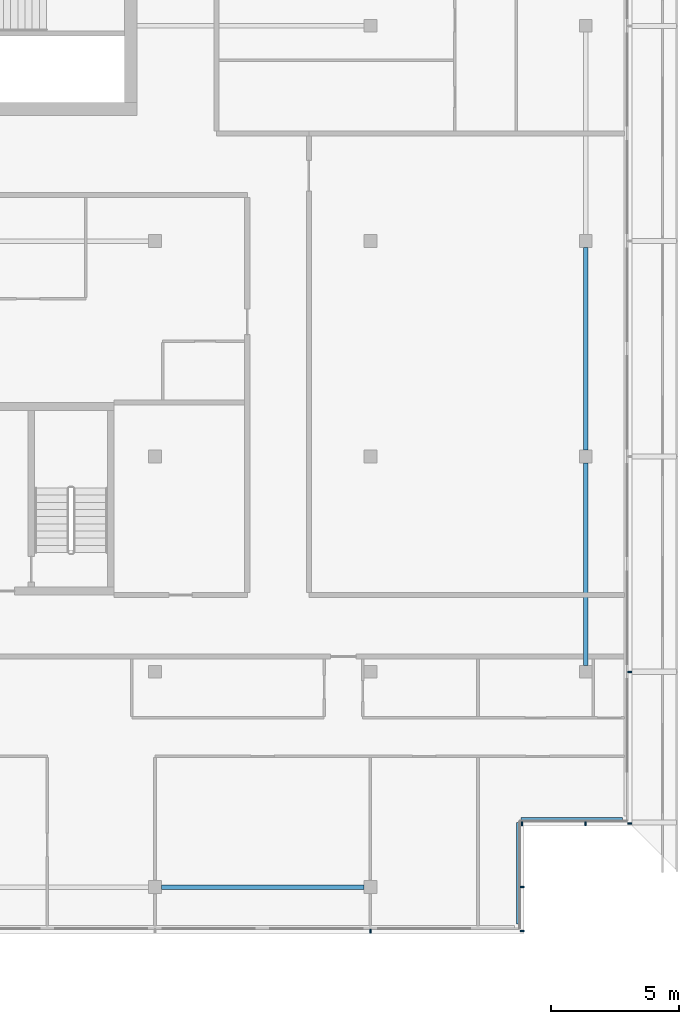
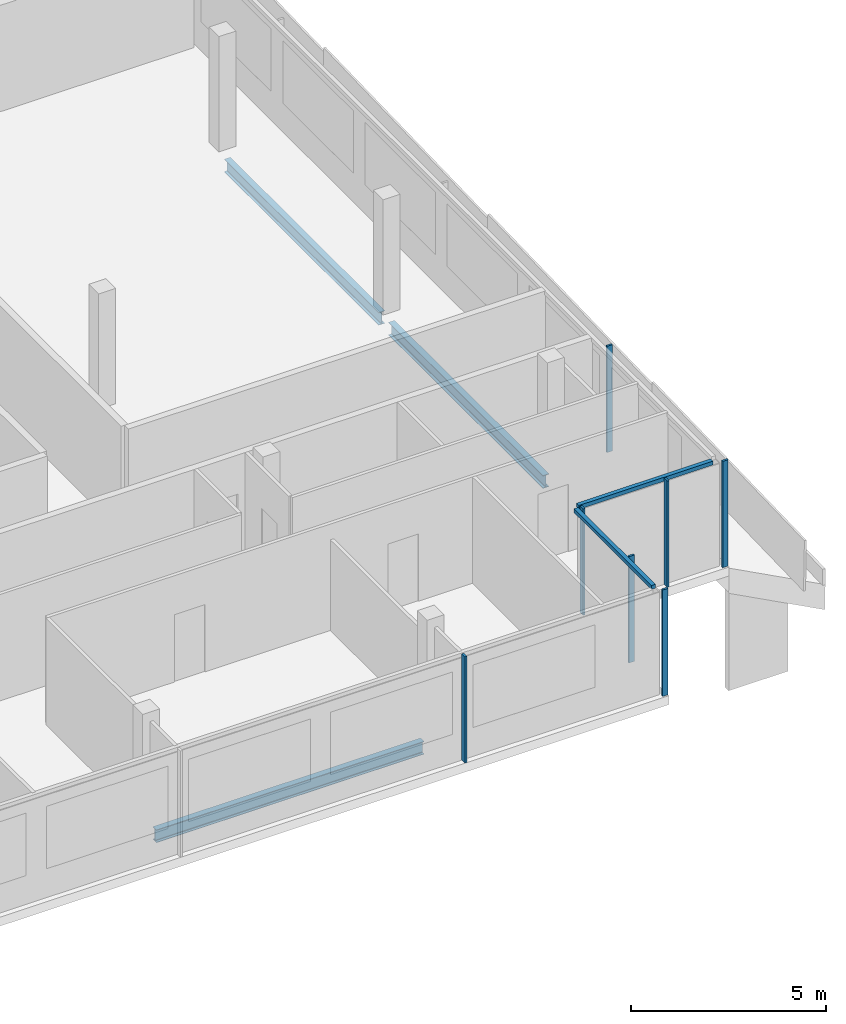
# One storey, part 10 of 27: 9 members, 3 beams, 4 elements without a shape of their own.
"""IFC4 building model written with IfcOpenShell, lengths in metres."""

from ifc_helpers import new_model, si_unit, direction, frame, origin, origin_2d, place, context, subcontext, project, spatial, rectangle, i_section, extrude, material, material_profile, profile_set, type_object, element, aggregate, save


model = new_model("IFC4")

# Units and contexts
model_context = context("Model", 3, precision=1e-05, world=origin(), true_north=direction((0.0, 1.0)))
body_context = subcontext(model_context, "Body", "Model", "MODEL_VIEW")
ifc_project = project(units=[si_unit("LENGTHUNIT", "METRE"), si_unit("AREAUNIT", "SQUARE_METRE"), si_unit("VOLUMEUNIT", "CUBIC_METRE"), si_unit("PLANEANGLEUNIT", "RADIAN"), si_unit("MASSUNIT", "GRAM", prefix="KILO")], contexts=[model_context])

# Site, building, storey
site_placement = place(None, origin())
site = spatial("IfcSite", under=ifc_project, at=site_placement, CompositionType="ELEMENT")
building_placement = place(site_placement, origin())
building = spatial("IfcBuilding", under=site, at=building_placement, Name="Saffron Gate Tower", CompositionType="ELEMENT")
storey_placement = place(building_placement, frame((0.0, 0.0, 267.14990234375)))
storey = spatial("IfcBuildingStorey", under=building, at=storey_placement, Name="L64", CompositionType="ELEMENT", Elevation=267.14990234375)

# Beams
ifc_material_1 = material(Name="Structural steel S355", Category="steel")
ifc_material_profile_1 = material_profile(ifc_material_1, i_section(OverallWidth=0.179931640625, OverallDepth=0.39990234375, WebThickness=0.008544921875, FlangeThickness=0.013427734375, FilletRadius=0.02099609375, at=origin_2d()))
ifc_profile_set_1 = profile_set([ifc_material_profile_1], Name="Structural steel S355")
beam_type = type_object("IfcBeamType", Name="B5 IPE 400", PredefinedType="SPANDREL", material=ifc_profile_set_1)
beam_1_placement = place(storey_placement, frame((108.85009765625, 31.800048828125, -0.47998046875), z_axis=(1.0, 0.0, 0.0), x_axis=(0.0, 1.0, 0.0)))
element("IfcBeam", 1, at=beam_1_placement, inside=storey, type_object=beam_type, Name="B5 SPANDREL BEAM", PredefinedType="SPANDREL", context=body_context, shape_type="SweptSolid", body=[
    extrude(i_section(OverallWidth=0.179931640625, OverallDepth=0.39990234375, WebThickness=0.008544921875, FlangeThickness=0.013427734375, FilletRadius=0.02099609375, at=origin_2d()), origin(), (0.0, 0.0, 1.0), 7.89990234375),
])
beam_2_placement = place(storey_placement, frame((125.39990234375, 40.449951171875, -0.47998046875), z_axis=(0.0, 1.0, 0.0), x_axis=(-1.0, 0.0, 0.0)))
element("IfcBeam", 2, at=beam_2_placement, inside=storey, type_object=beam_type, Name="B5 SPANDREL BEAM", PredefinedType="SPANDREL", context=body_context, shape_type="SweptSolid", body=[
    extrude(i_section(OverallWidth=0.179931640625, OverallDepth=0.39990234375, WebThickness=0.008544921875, FlangeThickness=0.013427734375, FilletRadius=0.02099609375, at=origin_2d()), origin(), (0.0, 0.0, 1.0), 7.900146484375),
])
beam_3_placement = place(storey_placement, frame((125.39990234375, 48.85009765625, -0.47998046875), z_axis=(0.0, 1.0, 0.0), x_axis=(-1.0, 0.0, 0.0)))
element("IfcBeam", 3, at=beam_3_placement, inside=storey, type_object=beam_type, Name="B5 SPANDREL BEAM", PredefinedType="SPANDREL", context=body_context, shape_type="SweptSolid", body=[
    extrude(i_section(OverallWidth=0.179931640625, OverallDepth=0.39990234375, WebThickness=0.008544921875, FlangeThickness=0.013427734375, FilletRadius=0.02099609375, at=origin_2d()), origin(), (0.0, 0.0, 1.0), 7.89990234375),
])

# Curtain wall, member
ifc_material_2 = material(Name="Aluminium, bronze anodised", Category="aluminium")
curtain_wall_type_1 = type_object("IfcCurtainWallType", Name="CWS1 curtain wall front facade", PredefinedType="NOTDEFINED", material=ifc_material_2)
curtain_wall_1_placement = place(storey_placement, origin())
curtain_wall_1 = element("IfcCurtainWall", 4, at=curtain_wall_1_placement, inside=storey, type_object=curtain_wall_type_1, Name="CWS1 run 1", PredefinedType="NOTDEFINED")
ifc_material_profile_2 = material_profile(ifc_material_2, rectangle(XDim=0.159912109375, YDim=0.06005859375, at=origin_2d()))
ifc_profile_set_2 = profile_set([ifc_material_profile_2], Name="Aluminium, bronze anodised")
member_type_1 = type_object("IfcMemberType", Name="CWS1 mullion 60x160", PredefinedType="MULLION", material=ifc_profile_set_2)
member_1_placement = place(storey_placement, frame((117.0, 30.080078125, 0.0), z_axis=(0.0, 0.0, 1.0), x_axis=(0.0, 1.0, 0.0)))
member_1 = element("IfcMember", 5, at=member_1_placement, type_object=member_type_1, Name="CWS1 mullion 9", PredefinedType="MULLION", context=body_context, shape_type="SweptSolid", body=[
    extrude(rectangle(XDim=0.159912109375, YDim=0.06005859375, at=origin_2d()), origin(), (0.0, 0.0, 1.0), 3.320068359375),
])
aggregate(curtain_wall_1, [member_1])

# Curtain wall, members
curtain_wall_type_2 = type_object("IfcCurtainWallType", Name="CWS2 curtain wall side facades", PredefinedType="NOTDEFINED", material=ifc_material_2)
curtain_wall_2_placement = place(storey_placement, origin())
curtain_wall_2 = element("IfcCurtainWall", 6, at=curtain_wall_2_placement, inside=storey, type_object=curtain_wall_type_2, Name="CWS2 run 4", PredefinedType="NOTDEFINED")
ifc_material_profile_3 = material_profile(ifc_material_2, rectangle(XDim=0.159912109375, YDim=0.06005859375, at=origin_2d()))
ifc_profile_set_3 = profile_set([ifc_material_profile_3], Name="Aluminium, bronze anodised")
member_type_2 = type_object("IfcMemberType", Name="CWS2 mullion 60x160", PredefinedType="MULLION", material=ifc_profile_set_3)
member_2_placement = place(storey_placement, frame((127.1201171875, 34.280029296875, 0.0), z_axis=(0.0, 0.0, 1.0), x_axis=(-1.0, 0.0, 0.0)))
member_2 = element("IfcMember", 7, at=member_2_placement, type_object=member_type_2, Name="CWS2 mullion 1", PredefinedType="MULLION", context=body_context, shape_type="SweptSolid", body=[
    extrude(rectangle(XDim=0.159912109375, YDim=0.06005859375, at=origin_2d()), origin(), (0.0, 0.0, 1.0), 3.320068359375),
])
member_3_placement = place(storey_placement, frame((127.1201171875, 40.199951171875, 0.0), z_axis=(0.0, 0.0, 1.0), x_axis=(-1.0, 0.0, 0.0)))
member_3 = element("IfcMember", 8, at=member_3_placement, type_object=member_type_2, Name="CWS2 mullion 2", PredefinedType="MULLION", context=body_context, shape_type="SweptSolid", body=[
    extrude(rectangle(XDim=0.159912109375, YDim=0.06005859375, at=origin_2d()), origin(), (0.0, 0.0, 1.0), 3.320068359375),
])
aggregate(curtain_wall_2, [member_2, member_3])

# Curtain wall, member
curtain_wall_type_3 = type_object("IfcCurtainWallType", Name="CWS4 curtain wall corner returns", PredefinedType="NOTDEFINED", material=ifc_material_2)
curtain_wall_3_placement = place(storey_placement, origin())
curtain_wall_3 = element("IfcCurtainWall", 9, at=curtain_wall_3_placement, inside=storey, type_object=curtain_wall_type_3, Name="CWS4 run 2", PredefinedType="NOTDEFINED")
ifc_material_profile_4 = material_profile(ifc_material_2, rectangle(XDim=0.1201171875, YDim=0.1201171875, at=origin_2d()))
ifc_profile_set_4 = profile_set([ifc_material_profile_4], Name="Aluminium, bronze anodised")
member_type_3 = type_object("IfcMemberType", Name="CWS4 head transom", PredefinedType="USERDEFINED", material=ifc_profile_set_4)
member_4_placement = place(storey_placement, frame((122.751953125, 30.367919921875, 3.260009765625), z_axis=(0.0, 1.0, 0.0), x_axis=(-1.0, 0.0, 0.0)))
member_4 = element("IfcMember", 10, at=member_4_placement, type_object=member_type_3, Name="CWS4 head transom", ObjectType="TRANSOM", PredefinedType="USERDEFINED", context=body_context, shape_type="SweptSolid", body=[
    extrude(rectangle(XDim=0.1201171875, YDim=0.1201171875, at=origin_2d()), origin(), (0.0, 0.0, 1.0), 3.9599609375),
])

curtain_wall_4_placement = place(storey_placement, origin())
curtain_wall_4 = element("IfcCurtainWall", 11, at=curtain_wall_4_placement, inside=storey, type_object=curtain_wall_type_3, Name="CWS4 run 3", PredefinedType="NOTDEFINED")
member_5_placement = place(storey_placement, frame((122.8720703125, 34.447998046875, 3.260009765625), z_axis=(1.0, 0.0, 0.0), x_axis=(0.0, 1.0, 0.0)))
member_5 = element("IfcMember", 12, at=member_5_placement, type_object=member_type_3, Name="CWS4 head transom", ObjectType="TRANSOM", PredefinedType="USERDEFINED", context=body_context, shape_type="SweptSolid", body=[
    extrude(rectangle(XDim=0.1201171875, YDim=0.1201171875, at=origin_2d()), origin(), (0.0, 0.0, 1.0), 3.9599609375),
])

# Member
ifc_material_profile_5 = material_profile(ifc_material_2, rectangle(XDim=0.159912109375, YDim=0.06005859375, at=origin_2d()))
ifc_profile_set_5 = profile_set([ifc_material_profile_5], Name="Aluminium, bronze anodised")
member_type_4 = type_object("IfcMemberType", Name="CWS4 mullion 60x160", PredefinedType="MULLION", material=ifc_profile_set_5)
member_6_placement = place(storey_placement, frame((122.919921875, 30.080078125, 0.0), z_axis=(0.0, 0.0, 1.0), x_axis=(-1.0, 0.0, 0.0)))
member_6 = element("IfcMember", 13, at=member_6_placement, type_object=member_type_4, Name="CWS4 mullion 1", PredefinedType="MULLION", context=body_context, shape_type="SweptSolid", body=[
    extrude(rectangle(XDim=0.159912109375, YDim=0.06005859375, at=origin_2d()), origin(), (0.0, 0.0, 1.0), 3.320068359375),
])

member_7_placement = place(storey_placement, frame((122.919921875, 31.800048828125, 0.0), z_axis=(0.0, 0.0, 1.0), x_axis=(-1.0, 0.0, 0.0)))
member_7 = element("IfcMember", 14, at=member_7_placement, type_object=member_type_4, Name="CWS4 mullion 2", PredefinedType="MULLION", context=body_context, shape_type="SweptSolid", body=[
    extrude(rectangle(XDim=0.159912109375, YDim=0.06005859375, at=origin_2d()), origin(), (0.0, 0.0, 1.0), 3.320068359375),
])

aggregate(curtain_wall_3, [member_6, member_7, member_4])

member_8_placement = place(storey_placement, frame((122.919921875, 34.280029296875, 0.0), z_axis=(0.0, 0.0, 1.0), x_axis=(0.0, 1.0, 0.0)))
member_8 = element("IfcMember", 15, at=member_8_placement, type_object=member_type_4, Name="CWS4 mullion 1", PredefinedType="MULLION", context=body_context, shape_type="SweptSolid", body=[
    extrude(rectangle(XDim=0.159912109375, YDim=0.06005859375, at=origin_2d()), origin(), (0.0, 0.0, 1.0), 3.320068359375),
])

member_9_placement = place(storey_placement, frame((125.39990234375, 34.280029296875, 0.0), z_axis=(0.0, 0.0, 1.0), x_axis=(0.0, 1.0, 0.0)))
member_9 = element("IfcMember", 16, at=member_9_placement, type_object=member_type_4, Name="CWS4 mullion 2", PredefinedType="MULLION", context=body_context, shape_type="SweptSolid", body=[
    extrude(rectangle(XDim=0.159912109375, YDim=0.06005859375, at=origin_2d()), origin(), (0.0, 0.0, 1.0), 3.320068359375),
])

aggregate(curtain_wall_4, [member_8, member_9, member_5])

save(model, "model.ifc")
